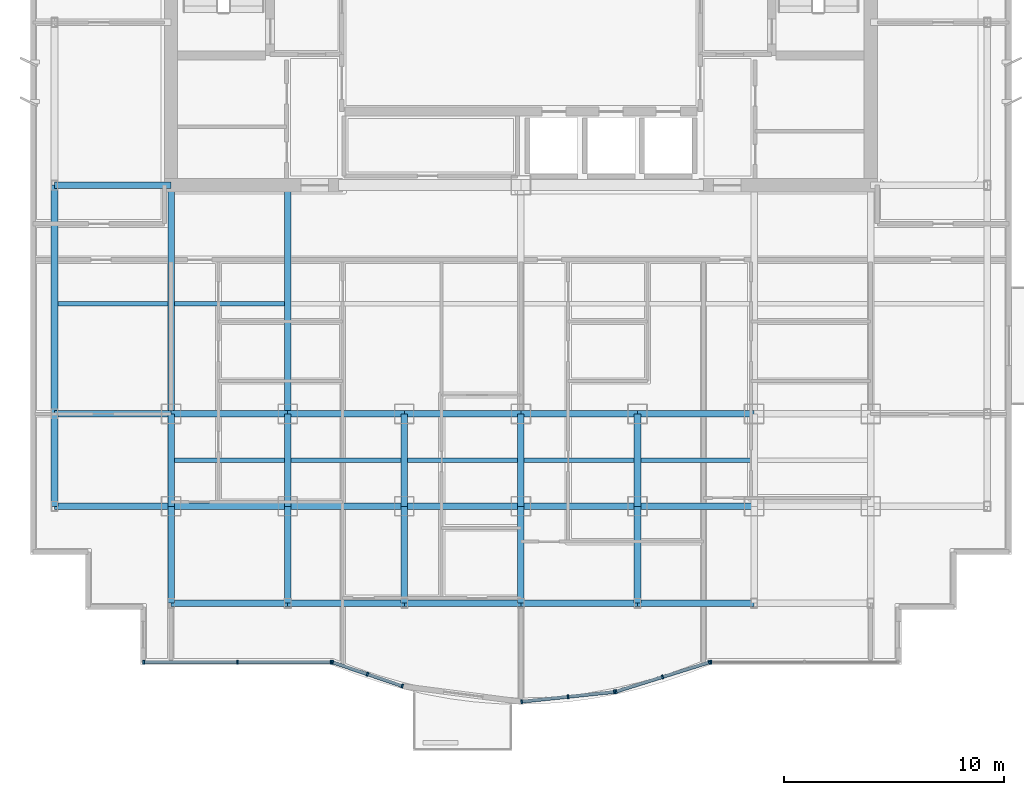
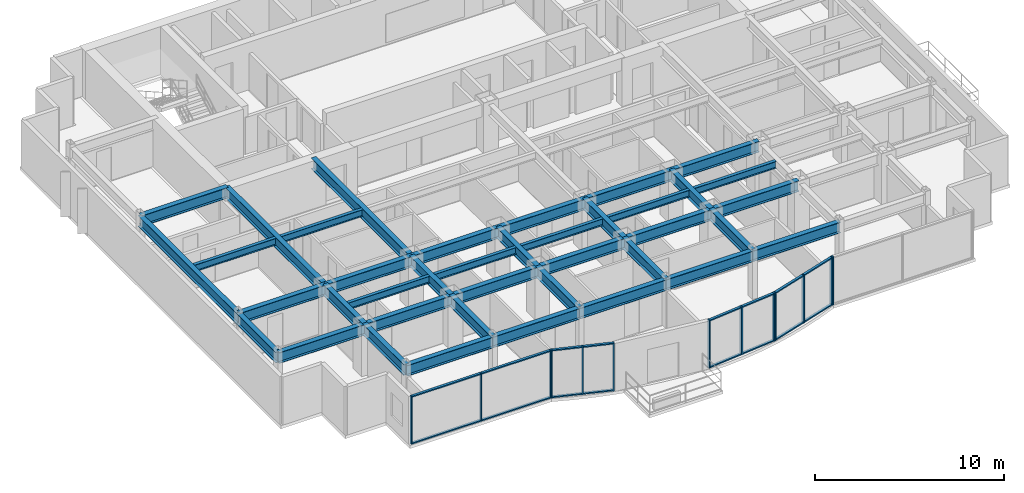
# One storey, part 2 of 11: 39 beams, 29 members, 5 elements without a shape of their own.
"""IFC4 building model written with IfcOpenShell, lengths in metres."""

from ifc_helpers import new_model, si_unit, direction, frame, origin, origin_2d, place, context, subcontext, project, spatial, rectangle, i_section, extrude, source, transform, mapped, material, layer, layer_set, material_profile, profile_set, type_object, element, aggregate, save


model = new_model("IFC4")

# Units and contexts
model_context = context("Model", 3, precision=1e-05, world=origin(), true_north=direction((0.0, 1.0)))
body_context = subcontext(model_context, "Body", "Model", "MODEL_VIEW")
ifc_project = project(units=[si_unit("LENGTHUNIT", "METRE"), si_unit("AREAUNIT", "SQUARE_METRE"), si_unit("VOLUMEUNIT", "CUBIC_METRE"), si_unit("PLANEANGLEUNIT", "RADIAN"), si_unit("MASSUNIT", "GRAM", prefix="KILO")], contexts=[model_context])

# Site, building, storey
site_placement = place(None, origin())
site = spatial("IfcSite", under=ifc_project, at=site_placement, CompositionType="ELEMENT")
building_placement = place(site_placement, origin())
building = spatial("IfcBuilding", under=site, at=building_placement, Name="Qianlan Lanfeng Residences", CompositionType="ELEMENT")
storey_placement = place(building_placement, frame((0.0, 0.0, 149.10009765625)))
storey = spatial("IfcBuildingStorey", under=building, at=storey_placement, Name="L40", CompositionType="ELEMENT", Elevation=149.10009765625)

# Beams
ifc_material_1 = material(Name="Steel SN490B", Category="steel")
ifc_material_profile_1 = material_profile(ifc_material_1, i_section(OverallWidth=0.300048828125, OverallDepth=0.699951171875, WebThickness=0.012939453125, FlangeThickness=0.02392578125, at=origin_2d()), Name="H 700x300x13x24")
ifc_profile_set_1 = profile_set([ifc_material_profile_1], Name="Steel SN490B")
beam_type_1 = type_object("IfcBeamType", Name="G-750", PredefinedType="BEAM", material=ifc_profile_set_1)
beam_1_placement = place(storey_placement, frame((5.300048828125, 10.60009765625, 2.75), z_axis=(1.0, 0.0, 0.0), x_axis=(0.0, 1.0, 0.0)))
element("IfcBeam", 1, at=beam_1_placement, inside=storey, type_object=beam_type_1, Name="Structural beam G-750", PredefinedType="BEAM", context=body_context, shape_type="SweptSolid", body=[
    extrude(i_section(OverallWidth=0.300048828125, OverallDepth=0.699951171875, WebThickness=0.012939453125, FlangeThickness=0.02392578125, at=origin_2d()), origin(), (0.0, 0.0, 1.0), 5.300048828125),
])
beam_2_placement = place(storey_placement, frame((10.60009765625, 10.60009765625, 2.75), z_axis=(1.0, 0.0, 0.0), x_axis=(0.0, 1.0, 0.0)))
element("IfcBeam", 2, at=beam_2_placement, inside=storey, type_object=beam_type_1, Name="Structural beam G-750", PredefinedType="BEAM", context=body_context, shape_type="SweptSolid", body=[
    extrude(i_section(OverallWidth=0.300048828125, OverallDepth=0.699951171875, WebThickness=0.012939453125, FlangeThickness=0.02392578125, at=origin_2d()), origin(), (0.0, 0.0, 1.0), 5.2998046875),
])
for number, where, z_axis, x_axis, name in (
    (3, (15.89990234375, 10.60009765625, 2.75), (1.0, 0.0, 0.0), (0.0, 1.0, 0.0), "Structural beam G-750"),
    (4, (21.199951171875, 10.60009765625, 2.75), (1.0, 0.0, 0.0), (0.0, 1.0, 0.0), "Structural beam G-750"),
    (5, (26.5, 10.60009765625, 2.75), (1.0, 0.0, 0.0), (0.0, 1.0, 0.0), "Structural beam G-750"),
    (6, (31.800048828125, 10.60009765625, 2.75), (1.0, 0.0, 0.0), (0.0, 1.0, 0.0), "Structural beam G-750"),
    (7, (5.300048828125, 14.800048828125, 2.75), (1.0, 0.0, 0.0), (0.0, 1.0, 0.0), "Structural beam G-750"),
):
    element("IfcBeam", number, at=place(storey_placement, frame(where, z_axis=z_axis, x_axis=x_axis)), inside=storey, type_object=beam_type_1, Name=name, PredefinedType="BEAM", context=body_context, shape_type="SweptSolid", body=[
        extrude(i_section(OverallWidth=0.300048828125, OverallDepth=0.699951171875, WebThickness=0.012939453125, FlangeThickness=0.02392578125, at=origin_2d()), origin(), (0.0, 0.0, 1.0), 5.300048828125),
    ])
beam_3_placement = place(storey_placement, frame((10.60009765625, 14.800048828125, 2.75), z_axis=(1.0, 0.0, 0.0), x_axis=(0.0, 1.0, 0.0)))
element("IfcBeam", 8, at=beam_3_placement, inside=storey, type_object=beam_type_1, Name="Structural beam G-750", PredefinedType="BEAM", context=body_context, shape_type="SweptSolid", body=[
    extrude(i_section(OverallWidth=0.300048828125, OverallDepth=0.699951171875, WebThickness=0.012939453125, FlangeThickness=0.02392578125, at=origin_2d()), origin(), (0.0, 0.0, 1.0), 5.2998046875),
])
for number, where, z_axis, x_axis, name in (
    (9, (15.89990234375, 14.800048828125, 2.75), (1.0, 0.0, 0.0), (0.0, 1.0, 0.0), "Structural beam G-750"),
    (10, (21.199951171875, 14.800048828125, 2.75), (1.0, 0.0, 0.0), (0.0, 1.0, 0.0), "Structural beam G-750"),
    (11, (26.5, 14.800048828125, 2.75), (1.0, 0.0, 0.0), (0.0, 1.0, 0.0), "Structural beam G-750"),
    (12, (31.800048828125, 14.800048828125, 2.75), (1.0, 0.0, 0.0), (0.0, 1.0, 0.0), "Structural beam G-750"),
    (13, (5.300048828125, 25.199951171875, 2.75), (1.0, 0.0, 0.0), (0.0, 1.0, 0.0), "Structural beam G-750"),
):
    element("IfcBeam", number, at=place(storey_placement, frame(where, z_axis=z_axis, x_axis=x_axis)), inside=storey, type_object=beam_type_1, Name=name, PredefinedType="BEAM", context=body_context, shape_type="SweptSolid", body=[
        extrude(i_section(OverallWidth=0.300048828125, OverallDepth=0.699951171875, WebThickness=0.012939453125, FlangeThickness=0.02392578125, at=origin_2d()), origin(), (0.0, 0.0, 1.0), 5.300048828125),
    ])
beam_4_placement = place(storey_placement, frame((10.60009765625, 6.199951171875, 2.75), z_axis=(0.0, 1.0, 0.0), x_axis=(-1.0, 0.0, 0.0)))
element("IfcBeam", 14, at=beam_4_placement, inside=storey, type_object=beam_type_1, Name="Structural beam G-750", PredefinedType="BEAM", context=body_context, shape_type="SweptSolid", body=[
    extrude(i_section(OverallWidth=0.300048828125, OverallDepth=0.699951171875, WebThickness=0.012939453125, FlangeThickness=0.02392578125, at=origin_2d()), origin(), (0.0, 0.0, 1.0), 4.400146484375),
])
beam_5_placement = place(storey_placement, frame((10.60009765625, 10.60009765625, 2.75), z_axis=(0.0, 1.0, 0.0), x_axis=(-1.0, 0.0, 0.0)))
element("IfcBeam", 15, at=beam_5_placement, inside=storey, type_object=beam_type_1, Name="Structural beam G-750", PredefinedType="BEAM", context=body_context, shape_type="SweptSolid", body=[
    extrude(i_section(OverallWidth=0.300048828125, OverallDepth=0.699951171875, WebThickness=0.012939453125, FlangeThickness=0.02392578125, at=origin_2d()), origin(), (0.0, 0.0, 1.0), 4.199951171875),
])
beam_6_placement = place(storey_placement, frame((10.60009765625, 14.800048828125, 2.75), z_axis=(0.0, 1.0, 0.0), x_axis=(-1.0, 0.0, 0.0)))
element("IfcBeam", 16, at=beam_6_placement, inside=storey, type_object=beam_type_1, Name="Structural beam G-750", PredefinedType="BEAM", context=body_context, shape_type="SweptSolid", body=[
    extrude(i_section(OverallWidth=0.300048828125, OverallDepth=0.699951171875, WebThickness=0.012939453125, FlangeThickness=0.02392578125, at=origin_2d()), origin(), (0.0, 0.0, 1.0), 10.39990234375),
])
beam_7_placement = place(storey_placement, frame((15.89990234375, 6.199951171875, 2.75), z_axis=(0.0, 1.0, 0.0), x_axis=(-1.0, 0.0, 0.0)))
element("IfcBeam", 17, at=beam_7_placement, inside=storey, type_object=beam_type_1, Name="Structural beam G-750", PredefinedType="BEAM", context=body_context, shape_type="SweptSolid", body=[
    extrude(i_section(OverallWidth=0.300048828125, OverallDepth=0.699951171875, WebThickness=0.012939453125, FlangeThickness=0.02392578125, at=origin_2d()), origin(), (0.0, 0.0, 1.0), 4.400146484375),
])
beam_8_placement = place(storey_placement, frame((15.89990234375, 10.60009765625, 2.75), z_axis=(0.0, 1.0, 0.0), x_axis=(-1.0, 0.0, 0.0)))
element("IfcBeam", 18, at=beam_8_placement, inside=storey, type_object=beam_type_1, Name="Structural beam G-750", PredefinedType="BEAM", context=body_context, shape_type="SweptSolid", body=[
    extrude(i_section(OverallWidth=0.300048828125, OverallDepth=0.699951171875, WebThickness=0.012939453125, FlangeThickness=0.02392578125, at=origin_2d()), origin(), (0.0, 0.0, 1.0), 4.199951171875),
])
beam_9_placement = place(storey_placement, frame((15.89990234375, 14.800048828125, 2.75), z_axis=(0.0, 1.0, 0.0), x_axis=(-1.0, 0.0, 0.0)))
element("IfcBeam", 19, at=beam_9_placement, inside=storey, type_object=beam_type_1, Name="Structural beam G-750", PredefinedType="BEAM", context=body_context, shape_type="SweptSolid", body=[
    extrude(i_section(OverallWidth=0.300048828125, OverallDepth=0.699951171875, WebThickness=0.012939453125, FlangeThickness=0.02392578125, at=origin_2d()), origin(), (0.0, 0.0, 1.0), 10.39990234375),
])
beam_10_placement = place(storey_placement, frame((21.199951171875, 6.199951171875, 2.75), z_axis=(0.0, 1.0, 0.0), x_axis=(-1.0, 0.0, 0.0)))
element("IfcBeam", 20, at=beam_10_placement, inside=storey, type_object=beam_type_1, Name="Structural beam G-750", PredefinedType="BEAM", context=body_context, shape_type="SweptSolid", body=[
    extrude(i_section(OverallWidth=0.300048828125, OverallDepth=0.699951171875, WebThickness=0.012939453125, FlangeThickness=0.02392578125, at=origin_2d()), origin(), (0.0, 0.0, 1.0), 4.400146484375),
])
beam_11_placement = place(storey_placement, frame((21.199951171875, 10.60009765625, 2.75), z_axis=(0.0, 1.0, 0.0), x_axis=(-1.0, 0.0, 0.0)))
element("IfcBeam", 21, at=beam_11_placement, inside=storey, type_object=beam_type_1, Name="Structural beam G-750", PredefinedType="BEAM", context=body_context, shape_type="SweptSolid", body=[
    extrude(i_section(OverallWidth=0.300048828125, OverallDepth=0.699951171875, WebThickness=0.012939453125, FlangeThickness=0.02392578125, at=origin_2d()), origin(), (0.0, 0.0, 1.0), 4.199951171875),
])
beam_12_placement = place(storey_placement, frame((26.5, 6.199951171875, 2.75), z_axis=(0.0, 1.0, 0.0), x_axis=(-1.0, 0.0, 0.0)))
element("IfcBeam", 22, at=beam_12_placement, inside=storey, type_object=beam_type_1, Name="Structural beam G-750", PredefinedType="BEAM", context=body_context, shape_type="SweptSolid", body=[
    extrude(i_section(OverallWidth=0.300048828125, OverallDepth=0.699951171875, WebThickness=0.012939453125, FlangeThickness=0.02392578125, at=origin_2d()), origin(), (0.0, 0.0, 1.0), 4.400146484375),
])
beam_13_placement = place(storey_placement, frame((26.5, 10.60009765625, 2.75), z_axis=(0.0, 1.0, 0.0), x_axis=(-1.0, 0.0, 0.0)))
element("IfcBeam", 23, at=beam_13_placement, inside=storey, type_object=beam_type_1, Name="Structural beam G-750", PredefinedType="BEAM", context=body_context, shape_type="SweptSolid", body=[
    extrude(i_section(OverallWidth=0.300048828125, OverallDepth=0.699951171875, WebThickness=0.012939453125, FlangeThickness=0.02392578125, at=origin_2d()), origin(), (0.0, 0.0, 1.0), 4.199951171875),
])
beam_14_placement = place(storey_placement, frame((31.800048828125, 6.199951171875, 2.75), z_axis=(0.0, 1.0, 0.0), x_axis=(-1.0, 0.0, 0.0)))
element("IfcBeam", 24, at=beam_14_placement, inside=storey, type_object=beam_type_1, Name="Structural beam G-750", PredefinedType="BEAM", context=body_context, shape_type="SweptSolid", body=[
    extrude(i_section(OverallWidth=0.300048828125, OverallDepth=0.699951171875, WebThickness=0.012939453125, FlangeThickness=0.02392578125, at=origin_2d()), origin(), (0.0, 0.0, 1.0), 4.400146484375),
])
beam_15_placement = place(storey_placement, frame((31.800048828125, 10.60009765625, 2.75), z_axis=(0.0, 1.0, 0.0), x_axis=(-1.0, 0.0, 0.0)))
element("IfcBeam", 25, at=beam_15_placement, inside=storey, type_object=beam_type_1, Name="Structural beam G-750", PredefinedType="BEAM", context=body_context, shape_type="SweptSolid", body=[
    extrude(i_section(OverallWidth=0.300048828125, OverallDepth=0.699951171875, WebThickness=0.012939453125, FlangeThickness=0.02392578125, at=origin_2d()), origin(), (0.0, 0.0, 1.0), 4.199951171875),
])
ifc_material_profile_2 = material_profile(ifc_material_1, i_section(OverallWidth=0.199951171875, OverallDepth=0.449951171875, WebThickness=0.009033203125, FlangeThickness=0.013916015625, at=origin_2d()), Name="H 450x200x9x14")
ifc_profile_set_2 = profile_set([ifc_material_profile_2], Name="Steel SN490B")
beam_type_2 = type_object("IfcBeamType", Name="J-450", PredefinedType="JOIST", material=ifc_profile_set_2)
for number, where, z_axis, x_axis, name in (
    (26, (10.75, 12.699951171875, 2.875), (1.0, 0.0, 0.0), (0.0, 1.0, 0.0), "Structural beam J-450"),
    (27, (16.050048828125, 12.699951171875, 2.875), (1.0, 0.0, 0.0), (0.0, 1.0, 0.0), "Structural beam J-450"),
    (28, (21.35009765625, 12.699951171875, 2.875), (1.0, 0.0, 0.0), (0.0, 1.0, 0.0), "Structural beam J-450"),
    (29, (26.64990234375, 12.699951171875, 2.875), (1.0, 0.0, 0.0), (0.0, 1.0, 0.0), "Structural beam J-450"),
    (30, (31.949951171875, 12.699951171875, 2.875), (1.0, 0.0, 0.0), (0.0, 1.0, 0.0), "Structural beam J-450"),
    (31, (5.449951171875, 19.800048828125, 2.875), (1.0, 0.0, 0.0), (0.0, 1.0, 0.0), "Structural beam J-450"),
    (32, (10.75, 19.800048828125, 2.875), (1.0, 0.0, 0.0), (0.0, 1.0, 0.0), "Structural beam J-450"),
):
    element("IfcBeam", number, at=place(storey_placement, frame(where, z_axis=z_axis, x_axis=x_axis)), inside=storey, type_object=beam_type_2, Name=name, PredefinedType="JOIST", context=body_context, shape_type="SweptSolid", body=[
        extrude(i_section(OverallWidth=0.199951171875, OverallDepth=0.449951171875, WebThickness=0.009033203125, FlangeThickness=0.013916015625, at=origin_2d()), origin(), (0.0, 0.0, 1.0), 5.0),
    ])
ifc_material_profile_3 = material_profile(ifc_material_1, i_section(OverallWidth=0.300048828125, OverallDepth=0.699951171875, WebThickness=0.012939453125, FlangeThickness=0.02392578125, at=origin_2d()), Name="H 700x300x13x24")
ifc_profile_set_3 = profile_set([ifc_material_profile_3], Name="Steel SN490B")
beam_type_3 = type_object("IfcBeamType", Name="SG-750", PredefinedType="SPANDREL", material=ifc_profile_set_3)
beam_16_placement = place(storey_placement, frame((10.60009765625, 6.199951171875, 2.739990234375), z_axis=(1.0, 0.0, 0.0), x_axis=(0.0, 1.0, 0.0)))
element("IfcBeam", 33, at=beam_16_placement, inside=storey, type_object=beam_type_3, Name="Structural beam SG-750", PredefinedType="SPANDREL", context=body_context, shape_type="SweptSolid", body=[
    extrude(i_section(OverallWidth=0.300048828125, OverallDepth=0.699951171875, WebThickness=0.012939453125, FlangeThickness=0.02392578125, at=origin_2d()), origin(), (0.0, 0.0, 1.0), 5.2998046875),
])
for number, where, z_axis, x_axis, name in (
    (34, (15.89990234375, 6.199951171875, 2.739990234375), (1.0, 0.0, 0.0), (0.0, 1.0, 0.0), "Structural beam SG-750"),
    (35, (21.199951171875, 6.199951171875, 2.739990234375), (1.0, 0.0, 0.0), (0.0, 1.0, 0.0), "Structural beam SG-750"),
    (36, (26.5, 6.199951171875, 2.739990234375), (1.0, 0.0, 0.0), (0.0, 1.0, 0.0), "Structural beam SG-750"),
    (37, (31.800048828125, 6.199951171875, 2.739990234375), (1.0, 0.0, 0.0), (0.0, 1.0, 0.0), "Structural beam SG-750"),
):
    element("IfcBeam", number, at=place(storey_placement, frame(where, z_axis=z_axis, x_axis=x_axis)), inside=storey, type_object=beam_type_3, Name=name, PredefinedType="SPANDREL", context=body_context, shape_type="SweptSolid", body=[
        extrude(i_section(OverallWidth=0.300048828125, OverallDepth=0.699951171875, WebThickness=0.012939453125, FlangeThickness=0.02392578125, at=origin_2d()), origin(), (0.0, 0.0, 1.0), 5.300048828125),
    ])
beam_17_placement = place(storey_placement, frame((5.300048828125, 10.60009765625, 2.739990234375), z_axis=(0.0, 1.0, 0.0), x_axis=(-1.0, 0.0, 0.0)))
element("IfcBeam", 38, at=beam_17_placement, inside=storey, type_object=beam_type_3, Name="Structural beam SG-750", PredefinedType="SPANDREL", context=body_context, shape_type="SweptSolid", body=[
    extrude(i_section(OverallWidth=0.300048828125, OverallDepth=0.699951171875, WebThickness=0.012939453125, FlangeThickness=0.02392578125, at=origin_2d()), origin(), (0.0, 0.0, 1.0), 4.199951171875),
])
beam_18_placement = place(storey_placement, frame((5.300048828125, 14.800048828125, 2.739990234375), z_axis=(0.0, 1.0, 0.0), x_axis=(-1.0, 0.0, 0.0)))
element("IfcBeam", 39, at=beam_18_placement, inside=storey, type_object=beam_type_3, Name="Structural beam SG-750", PredefinedType="SPANDREL", context=body_context, shape_type="SweptSolid", body=[
    extrude(i_section(OverallWidth=0.300048828125, OverallDepth=0.699951171875, WebThickness=0.012939453125, FlangeThickness=0.02392578125, at=origin_2d()), origin(), (0.0, 0.0, 1.0), 10.39990234375),
])

# Curtain wall, members
ifc_material_2 = material(Name="Anodised Bronze Aluminium 6063-T6", Category="aluminium")
ifc_layer = layer(ifc_material_2, 0.219970703125)
ifc_layer_set = layer_set([ifc_layer], Name="Anodised Bronze Aluminium 6063-T6")
curtain_wall_type = type_object("IfcCurtainWallType", Name="CW-04", PredefinedType="NOTDEFINED", material=ifc_layer_set)
curtain_wall_1_placement = place(storey_placement, origin())
curtain_wall_1 = element("IfcCurtainWall", 40, at=curtain_wall_1_placement, inside=storey, type_object=curtain_wall_type, Name="L40 Unitised Curtain Wall CWR-L40-01 (CW-04)", PredefinedType="NOTDEFINED")
ifc_material_profile_4 = material_profile(ifc_material_2, rectangle(XDim=0.074951171875, YDim=0.14990234375, at=origin_2d()), Name="ALU TRANSOM 75x150")
ifc_profile_set_4 = profile_set([ifc_material_profile_4], Name="Anodised Bronze Aluminium 6063-T6")
member_type_1 = type_object("IfcMemberType", Name="CWT-150", PredefinedType="USERDEFINED", material=ifc_profile_set_4)
shared_shape_1 = source(origin(), body_context, "Body", "SweptSolid", [
    extrude(rectangle(XDim=0.074951171875, YDim=0.14990234375, at=origin_2d()), origin(), (0.0, 0.0, 1.0), 4.178955078125),
])
member_1_placement = place(storey_placement, frame((9.39501953125, 3.52001953125, 0.037353515625), z_axis=(1.0, 0.0, 0.0), x_axis=(0.0, 0.0, 1.0)))
member_1 = element("IfcMember", 41, at=member_1_placement, type_object=member_type_1, Name="CWR-L40-01 Transom 1-BOT", ObjectType="TRANSOM", PredefinedType="USERDEFINED", context=body_context, shape_type="MappedRepresentation", body=[
    mapped(shared_shape_1, transform((0.0, 0.0, 0.0), scale=1.0)),
])
member_2_placement = place(storey_placement, frame((9.39501953125, 3.52001953125, 3.0625), z_axis=(1.0, 0.0, 0.0), x_axis=(0.0, 0.0, 1.0)))
member_2 = element("IfcMember", 42, at=member_2_placement, type_object=member_type_1, Name="CWR-L40-01 Transom 1-TOP", ObjectType="TRANSOM", PredefinedType="USERDEFINED", context=body_context, shape_type="MappedRepresentation", body=[
    mapped(shared_shape_1, transform((0.0, 0.0, 0.0), scale=1.0)),
])
member_3_placement = place(storey_placement, frame((13.64892578125, 3.52001953125, 0.037353515625), z_axis=(1.0, 0.0, 0.0), x_axis=(0.0, 0.0, 1.0)))
member_3 = element("IfcMember", 43, at=member_3_placement, type_object=member_type_1, Name="CWR-L40-01 Transom 2-BOT", ObjectType="TRANSOM", PredefinedType="USERDEFINED", context=body_context, shape_type="MappedRepresentation", body=[
    mapped(shared_shape_1, transform((0.0, 0.0, 0.0), scale=1.0)),
])
member_4_placement = place(storey_placement, frame((13.64892578125, 3.52001953125, 3.0625), z_axis=(1.0, 0.0, 0.0), x_axis=(0.0, 0.0, 1.0)))
member_4 = element("IfcMember", 44, at=member_4_placement, type_object=member_type_1, Name="CWR-L40-01 Transom 2-TOP", ObjectType="TRANSOM", PredefinedType="USERDEFINED", context=body_context, shape_type="MappedRepresentation", body=[
    mapped(shared_shape_1, transform((0.0, 0.0, 0.0), scale=1.0)),
])

curtain_wall_2_placement = place(storey_placement, origin())
curtain_wall_2 = element("IfcCurtainWall", 45, at=curtain_wall_2_placement, inside=storey, type_object=curtain_wall_type, Name="L40 Unitised Curtain Wall CWR-L40-02 (CW-04)", PredefinedType="NOTDEFINED")
shared_shape_2 = source(origin(), body_context, "Body", "SweptSolid", [
    extrude(rectangle(XDim=0.074951171875, YDim=0.14990234375, at=origin_2d()), origin(), (0.0, 0.0, 1.0), 1.597900390625),
])
member_5_placement = place(storey_placement, frame((17.97412109375, 3.495849609375, 0.037353515625), z_axis=(0.946818368584, -0.321768514481, 0.0), x_axis=(0.0, 0.0, 1.0)))
member_5 = element("IfcMember", 46, at=member_5_placement, type_object=member_type_1, Name="CWR-L40-02 Transom 1-BOT", ObjectType="TRANSOM", PredefinedType="USERDEFINED", context=body_context, shape_type="MappedRepresentation", body=[
    mapped(shared_shape_2, transform((0.0, 0.0, 0.0), scale=1.0)),
])
member_6_placement = place(storey_placement, frame((17.97412109375, 3.495849609375, 3.0625), z_axis=(0.946818368584, -0.321768514481, 0.0), x_axis=(0.0, 0.0, 1.0)))
member_6 = element("IfcMember", 47, at=member_6_placement, type_object=member_type_1, Name="CWR-L40-02 Transom 1-TOP", ObjectType="TRANSOM", PredefinedType="USERDEFINED", context=body_context, shape_type="MappedRepresentation", body=[
    mapped(shared_shape_2, transform((0.0, 0.0, 0.0), scale=1.0)),
])
member_7_placement = place(storey_placement, frame((19.55810546875, 2.95751953125, 0.037353515625), z_axis=(0.94677181357, -0.321905472195, 0.0), x_axis=(0.0, 0.0, 1.0)))
member_7 = element("IfcMember", 48, at=member_7_placement, type_object=member_type_1, Name="CWR-L40-02 Transom 2-BOT", ObjectType="TRANSOM", PredefinedType="USERDEFINED", context=body_context, shape_type="MappedRepresentation", body=[
    mapped(shared_shape_2, transform((0.0, 0.0, 0.0), scale=1.0)),
])
member_8_placement = place(storey_placement, frame((19.55810546875, 2.95751953125, 3.0625), z_axis=(0.94677181357, -0.321905472195, 0.0), x_axis=(0.0, 0.0, 1.0)))
member_8 = element("IfcMember", 49, at=member_8_placement, type_object=member_type_1, Name="CWR-L40-02 Transom 2-TOP", ObjectType="TRANSOM", PredefinedType="USERDEFINED", context=body_context, shape_type="MappedRepresentation", body=[
    mapped(shared_shape_2, transform((0.0, 0.0, 0.0), scale=1.0)),
])

curtain_wall_3_placement = place(storey_placement, origin())
curtain_wall_3 = element("IfcCurtainWall", 50, at=curtain_wall_3_placement, inside=storey, type_object=curtain_wall_type, Name="L40 Unitised Curtain Wall CWR-L40-03 (CW-04)", PredefinedType="NOTDEFINED")
shared_shape_3 = source(origin(), body_context, "Body", "SweptSolid", [
    extrude(rectangle(XDim=0.074951171875, YDim=0.14990234375, at=origin_2d()), origin(), (0.0, 0.0, 1.0), 2.04150390625),
])
member_9_placement = place(storey_placement, frame((26.57470703125, 1.727783203125, 0.037353515625), z_axis=(0.994573388245, 0.104037374988, 0.0), x_axis=(0.0, 0.0, 1.0)))
member_9 = element("IfcMember", 51, at=member_9_placement, type_object=member_type_1, Name="CWR-L40-03 Transom 1-BOT", ObjectType="TRANSOM", PredefinedType="USERDEFINED", context=body_context, shape_type="MappedRepresentation", body=[
    mapped(shared_shape_3, transform((0.0, 0.0, 0.0), scale=1.0)),
])
member_10_placement = place(storey_placement, frame((26.57470703125, 1.727783203125, 3.0625), z_axis=(0.994573388245, 0.104037374988, 0.0), x_axis=(0.0, 0.0, 1.0)))
member_10 = element("IfcMember", 52, at=member_10_placement, type_object=member_type_1, Name="CWR-L40-03 Transom 1-TOP", ObjectType="TRANSOM", PredefinedType="USERDEFINED", context=body_context, shape_type="MappedRepresentation", body=[
    mapped(shared_shape_3, transform((0.0, 0.0, 0.0), scale=1.0)),
])
shared_shape_4 = source(origin(), body_context, "Body", "SweptSolid", [
    extrude(rectangle(XDim=0.074951171875, YDim=0.14990234375, at=origin_2d()), origin(), (0.0, 0.0, 1.0), 2.041748046875),
])
member_11_placement = place(storey_placement, frame((28.6796875, 1.947998046875, 0.037353515625), z_axis=(0.994587046158, 0.103906725548, 0.0), x_axis=(0.0, 0.0, 1.0)))
member_11 = element("IfcMember", 53, at=member_11_placement, type_object=member_type_1, Name="CWR-L40-03 Transom 2-BOT", ObjectType="TRANSOM", PredefinedType="USERDEFINED", context=body_context, shape_type="MappedRepresentation", body=[
    mapped(shared_shape_4, transform((0.0, 0.0, 0.0), scale=1.0)),
])
member_12_placement = place(storey_placement, frame((28.6796875, 1.947998046875, 3.0625), z_axis=(0.994587046158, 0.103906725548, 0.0), x_axis=(0.0, 0.0, 1.0)))
member_12 = element("IfcMember", 54, at=member_12_placement, type_object=member_type_1, Name="CWR-L40-03 Transom 2-TOP", ObjectType="TRANSOM", PredefinedType="USERDEFINED", context=body_context, shape_type="MappedRepresentation", body=[
    mapped(shared_shape_4, transform((0.0, 0.0, 0.0), scale=1.0)),
])

curtain_wall_4_placement = place(storey_placement, origin())
curtain_wall_4 = element("IfcCurtainWall", 55, at=curtain_wall_4_placement, inside=storey, type_object=curtain_wall_type, Name="L40 Unitised Curtain Wall CWR-L40-04 (CW-04)", PredefinedType="NOTDEFINED")
shared_shape_5 = source(origin(), body_context, "Body", "SweptSolid", [
    extrude(rectangle(XDim=0.074951171875, YDim=0.14990234375, at=origin_2d()), origin(), (0.0, 0.0, 1.0), 2.14697265625),
])
member_13_placement = place(storey_placement, frame((30.856689453125, 2.1904296875, 0.037353515625), z_axis=(0.954194238714, 0.299187825296, 0.0), x_axis=(0.0, 0.0, 1.0)))
member_13 = element("IfcMember", 56, at=member_13_placement, type_object=member_type_1, Name="CWR-L40-04 Transom 1-BOT", ObjectType="TRANSOM", PredefinedType="USERDEFINED", context=body_context, shape_type="MappedRepresentation", body=[
    mapped(shared_shape_5, transform((0.0, 0.0, 0.0), scale=1.0)),
])
member_14_placement = place(storey_placement, frame((30.856689453125, 2.1904296875, 3.0625), z_axis=(0.954194238714, 0.299187825296, 0.0), x_axis=(0.0, 0.0, 1.0)))
member_14 = element("IfcMember", 57, at=member_14_placement, type_object=member_type_1, Name="CWR-L40-04 Transom 1-TOP", ObjectType="TRANSOM", PredefinedType="USERDEFINED", context=body_context, shape_type="MappedRepresentation", body=[
    mapped(shared_shape_5, transform((0.0, 0.0, 0.0), scale=1.0)),
])
member_15_placement = place(storey_placement, frame((32.976806640625, 2.855224609375, 0.037353515625), z_axis=(0.954194238714, 0.299187825296, 0.0), x_axis=(0.0, 0.0, 1.0)))
member_15 = element("IfcMember", 58, at=member_15_placement, type_object=member_type_1, Name="CWR-L40-04 Transom 2-BOT", ObjectType="TRANSOM", PredefinedType="USERDEFINED", context=body_context, shape_type="MappedRepresentation", body=[
    mapped(shared_shape_5, transform((0.0, 0.0, 0.0), scale=1.0)),
])
member_16_placement = place(storey_placement, frame((32.976806640625, 2.855224609375, 3.0625), z_axis=(0.954194238714, 0.299187825296, 0.0), x_axis=(0.0, 0.0, 1.0)))
member_16 = element("IfcMember", 59, at=member_16_placement, type_object=member_type_1, Name="CWR-L40-04 Transom 2-TOP", ObjectType="TRANSOM", PredefinedType="USERDEFINED", context=body_context, shape_type="MappedRepresentation", body=[
    mapped(shared_shape_5, transform((0.0, 0.0, 0.0), scale=1.0)),
])

# Member
ifc_material_profile_5 = material_profile(ifc_material_2, rectangle(XDim=0.074951171875, YDim=0.179931640625, at=origin_2d()), Name="ALU MULLION 75x180")
ifc_profile_set_5 = profile_set([ifc_material_profile_5], Name="Anodised Bronze Aluminium 6063-T6")
member_type_2 = type_object("IfcMemberType", Name="CWM-180", PredefinedType="MULLION", material=ifc_profile_set_5)
shared_shape_6 = source(origin(), body_context, "Body", "SweptSolid", [
    extrude(rectangle(XDim=0.074951171875, YDim=0.179931640625, at=origin_2d()), origin(), (0.0, 0.0, 1.0), 3.099853515625),
])
member_17_placement = place(storey_placement, frame((9.357421875, 3.52001953125, 0.0), z_axis=(0.0, 0.0, 1.0), x_axis=(1.0, 0.0, 0.0)))
member_17 = element("IfcMember", 60, at=member_17_placement, type_object=member_type_2, Name="CWR-L40-01 Mullion 1", PredefinedType="MULLION", context=body_context, shape_type="MappedRepresentation", body=[
    mapped(shared_shape_6, transform((0.0, 0.0, 0.0), scale=1.0)),
])

member_18_placement = place(storey_placement, frame((13.611572265625, 3.52001953125, 0.0), z_axis=(0.0, 0.0, 1.0), x_axis=(1.0, 0.0, 0.0)))
member_18 = element("IfcMember", 61, at=member_18_placement, type_object=member_type_2, Name="CWR-L40-01 Mullion 2", PredefinedType="MULLION", context=body_context, shape_type="MappedRepresentation", body=[
    mapped(shared_shape_6, transform((0.0, 0.0, 0.0), scale=1.0)),
])

member_19_placement = place(storey_placement, frame((17.865478515625, 3.52001953125, 0.0), z_axis=(0.0, 0.0, 1.0), x_axis=(1.0, 0.0, 0.0)))
member_19 = element("IfcMember", 62, at=member_19_placement, type_object=member_type_2, Name="CWR-L40-01 Mullion 3", PredefinedType="MULLION", context=body_context, shape_type="MappedRepresentation", body=[
    mapped(shared_shape_6, transform((0.0, 0.0, 0.0), scale=1.0)),
])

aggregate(curtain_wall_1, [member_17, member_18, member_19, member_1, member_2, member_3, member_4])

member_20_placement = place(storey_placement, frame((17.9384765625, 3.5078125, 0.0), z_axis=(0.0, 0.0, 1.0), x_axis=(0.946795963885, -0.321834433787, 0.0)))
member_20 = element("IfcMember", 63, at=member_20_placement, type_object=member_type_2, Name="CWR-L40-02 Mullion 1", PredefinedType="MULLION", context=body_context, shape_type="MappedRepresentation", body=[
    mapped(shared_shape_6, transform((0.0, 0.0, 0.0), scale=1.0)),
])

member_21_placement = place(storey_placement, frame((19.5224609375, 2.969482421875, 0.0), z_axis=(0.0, 0.0, 1.0), x_axis=(0.946795963885, -0.321834433787, 0.0)))
member_21 = element("IfcMember", 64, at=member_21_placement, type_object=member_type_2, Name="CWR-L40-02 Mullion 2", PredefinedType="MULLION", context=body_context, shape_type="MappedRepresentation", body=[
    mapped(shared_shape_6, transform((0.0, 0.0, 0.0), scale=1.0)),
])

member_22_placement = place(storey_placement, frame((21.1064453125, 2.43115234375, 0.0), z_axis=(0.0, 0.0, 1.0), x_axis=(0.946795963885, -0.321834433787, 0.0)))
member_22 = element("IfcMember", 65, at=member_22_placement, type_object=member_type_2, Name="CWR-L40-02 Mullion 3", PredefinedType="MULLION", context=body_context, shape_type="MappedRepresentation", body=[
    mapped(shared_shape_6, transform((0.0, 0.0, 0.0), scale=1.0)),
])

aggregate(curtain_wall_2, [member_20, member_21, member_22, member_5, member_6, member_7, member_8])

member_23_placement = place(storey_placement, frame((26.537353515625, 1.723876953125, 0.0), z_axis=(0.0, 0.0, 1.0), x_axis=(0.994579031105, 0.103983416397, 0.0)))
member_23 = element("IfcMember", 66, at=member_23_placement, type_object=member_type_2, Name="CWR-L40-03 Mullion 1", PredefinedType="MULLION", context=body_context, shape_type="MappedRepresentation", body=[
    mapped(shared_shape_6, transform((0.0, 0.0, 0.0), scale=1.0)),
])

member_24_placement = place(storey_placement, frame((28.642578125, 1.944091796875, 0.0), z_axis=(0.0, 0.0, 1.0), x_axis=(0.994579031105, 0.103983416397, 0.0)))
member_24 = element("IfcMember", 67, at=member_24_placement, type_object=member_type_2, Name="CWR-L40-03 Mullion 2", PredefinedType="MULLION", context=body_context, shape_type="MappedRepresentation", body=[
    mapped(shared_shape_6, transform((0.0, 0.0, 0.0), scale=1.0)),
])

member_25_placement = place(storey_placement, frame((30.747802734375, 2.1640625, 0.0), z_axis=(0.0, 0.0, 1.0), x_axis=(0.994579031105, 0.103983416397, 0.0)))
member_25 = element("IfcMember", 68, at=member_25_placement, type_object=member_type_2, Name="CWR-L40-03 Mullion 3", PredefinedType="MULLION", context=body_context, shape_type="MappedRepresentation", body=[
    mapped(shared_shape_6, transform((0.0, 0.0, 0.0), scale=1.0)),
])

aggregate(curtain_wall_3, [member_23, member_24, member_25, member_9, member_10, member_11, member_12])

member_26_placement = place(storey_placement, frame((30.82080078125, 2.17919921875, 0.0), z_axis=(0.0, 0.0, 1.0), x_axis=(0.954195954421, 0.299182353367, 0.0)))
member_26 = element("IfcMember", 69, at=member_26_placement, type_object=member_type_2, Name="CWR-L40-04 Mullion 1", PredefinedType="MULLION", context=body_context, shape_type="MappedRepresentation", body=[
    mapped(shared_shape_6, transform((0.0, 0.0, 0.0), scale=1.0)),
])

member_27_placement = place(storey_placement, frame((32.94091796875, 2.843994140625, 0.0), z_axis=(0.0, 0.0, 1.0), x_axis=(0.954195954421, 0.299182353367, 0.0)))
member_27 = element("IfcMember", 70, at=member_27_placement, type_object=member_type_2, Name="CWR-L40-04 Mullion 2", PredefinedType="MULLION", context=body_context, shape_type="MappedRepresentation", body=[
    mapped(shared_shape_6, transform((0.0, 0.0, 0.0), scale=1.0)),
])

member_28_placement = place(storey_placement, frame((35.061279296875, 3.5087890625, 0.0), z_axis=(0.0, 0.0, 1.0), x_axis=(0.954195954421, 0.299182353367, 0.0)))
member_28 = element("IfcMember", 71, at=member_28_placement, type_object=member_type_2, Name="CWR-L40-04 Mullion 3", PredefinedType="MULLION", context=body_context, shape_type="MappedRepresentation", body=[
    mapped(shared_shape_6, transform((0.0, 0.0, 0.0), scale=1.0)),
])

aggregate(curtain_wall_4, [member_26, member_27, member_28, member_13, member_14, member_15, member_16])

# Curtain wall, member
curtain_wall_5_placement = place(storey_placement, origin())
curtain_wall_5 = element("IfcCurtainWall", 72, at=curtain_wall_5_placement, inside=storey, type_object=curtain_wall_type, Name="L40 Unitised Curtain Wall CWR-L40-05 (CW-04)", PredefinedType="NOTDEFINED")
member_29_placement = place(storey_placement, frame((35.134521484375, 3.52001953125, 0.0), z_axis=(0.0, 0.0, 1.0), x_axis=(1.0, 0.0, 0.0)))
member_29 = element("IfcMember", 73, at=member_29_placement, type_object=member_type_2, Name="CWR-L40-05 Mullion 1", PredefinedType="MULLION", context=body_context, shape_type="MappedRepresentation", body=[
    mapped(shared_shape_6, transform((0.0, 0.0, 0.0), scale=1.0)),
])
aggregate(curtain_wall_5, [member_29])

save(model, "model.ifc")
